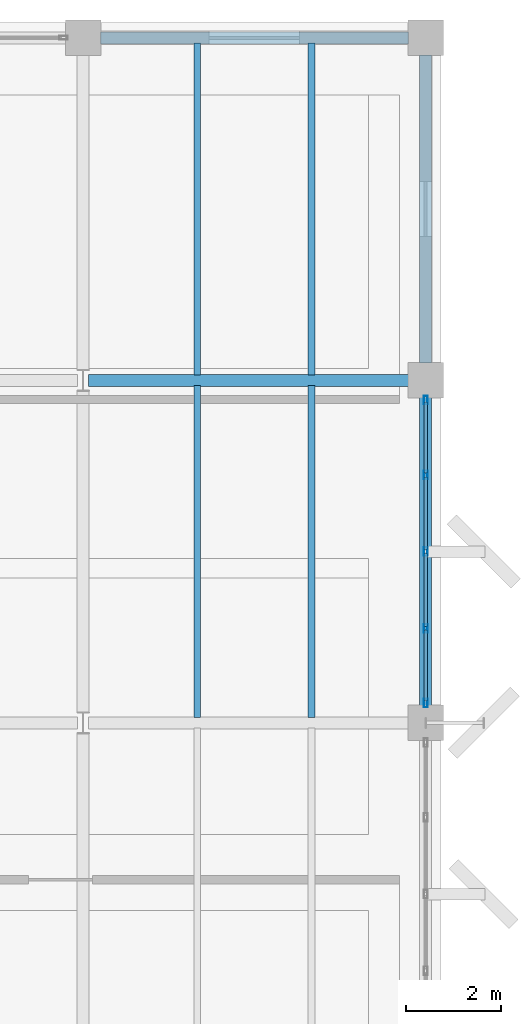
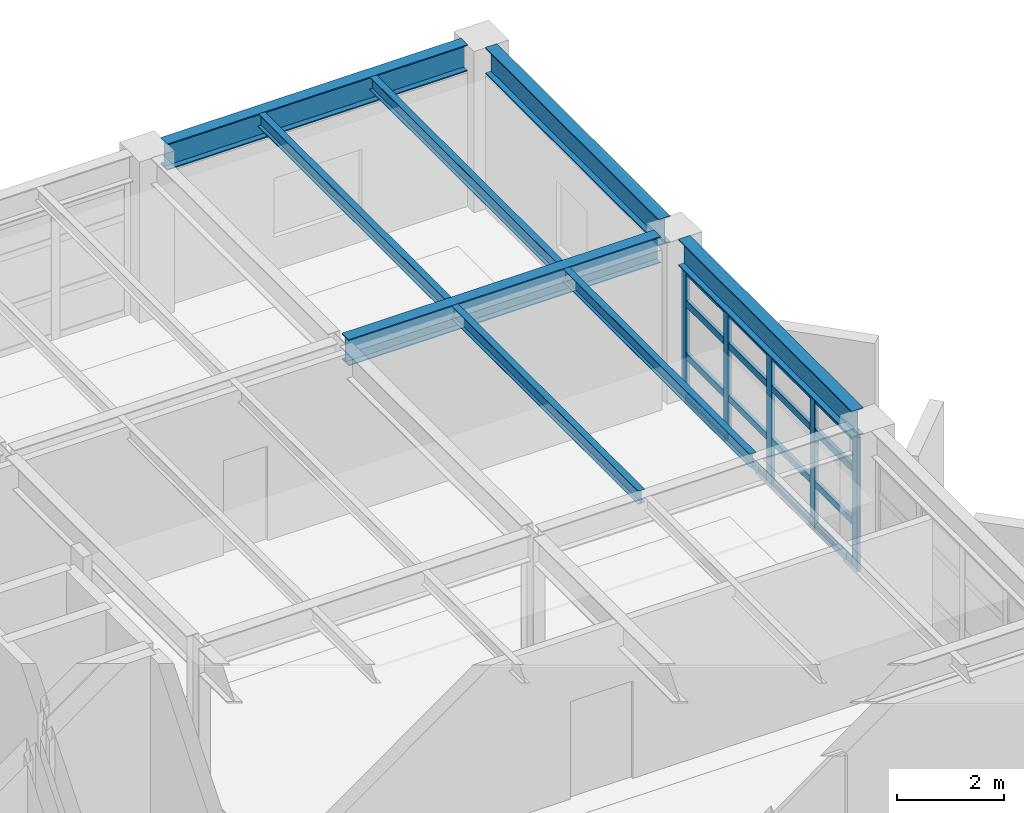
# One storey, part 13 of 24: 21 members, 8 beams, 1 element without a shape of its own.
"""IFC4 building model written with IfcOpenShell, lengths in metres."""

import ifcopenshell
import ifcopenshell.guid

model = None  # the IFC model being written
_history = None  # IfcOwnerHistory: only IFC2X3 demands one
_inside = {}  # id of a spatial element -> (the spatial element, [elements in it])
_under = {}  # id of a project, library or spatial element -> (it, [spatial elements below it])
_declared = {}  # id of a project -> (the project, [libraries it declares])
_typed = {}  # id of a type object -> (the type object, [elements of that type])
_made_of = {}  # id of a material, layer set ... -> (it, [elements and type objects made of it])


def new_model(schema):
    """Start an empty IFC model of exactly this schema.

    Asked for "IFC4X3", IfcOpenShell would pick the latest addendum, in which some entities
    have other attributes; the version numbers below select the first issue.
    IFC2X3 requires an IfcOwnerHistory on every rooted entity: one is made here for all.
    """
    global model, _history
    if schema == "IFC4X3":
        model = ifcopenshell.file(schema_version=(4, 3, 0, 0))
    else:
        model = ifcopenshell.file(schema=schema)
    _inside.clear()
    _under.clear()
    _declared.clear()
    _typed.clear()
    _made_of.clear()
    _history = None
    if model.schema == "IFC2X3":
        org = make("IfcOrganization", Name="unknown")
        user = make(
            "IfcPersonAndOrganization",
            ThePerson=make("IfcPerson", FamilyName="unknown"),
            TheOrganization=org,
        )
        app = make(
            "IfcApplication",
            ApplicationDeveloper=org,
            Version="unknown",
            ApplicationFullName="unknown",
            ApplicationIdentifier="unknown",
        )
        _history = make(
            "IfcOwnerHistory",
            OwningUser=user,
            OwningApplication=app,
            ChangeAction="ADDED",
            CreationDate=0,
        )
    return model


def make(cls, **values):
    """One entity of the class cls with the attributes given. An attribute that is None is left unset."""
    return model.create_entity(
        cls, **{name: value for name, value in values.items() if value is not None}
    )


def rooted(cls, **values):
    """An entity with a GlobalId (a new one), such as an element, a storey or a relation."""
    return make(cls, GlobalId=ifcopenshell.guid.new(), OwnerHistory=_history, **values)


def si_unit(unit_type, name, prefix=None):
    """IfcSIUnit, for example si_unit("LENGTHUNIT", "METRE", prefix="MILLI")."""
    return make("IfcSIUnit", UnitType=unit_type, Prefix=prefix, Name=name)


def assignment(units):
    """IfcUnitAssignment: the units of a project."""
    return None if units is None else make("IfcUnitAssignment", Units=units)


def point(xyz):
    """IfcCartesianPoint."""
    return None if xyz is None else make("IfcCartesianPoint", Coordinates=xyz)


def direction(xyz):
    """IfcDirection."""
    return None if xyz is None else make("IfcDirection", DirectionRatios=xyz)


def frame(location, z_axis=None, x_axis=None):
    """IfcAxis2Placement3D, a coordinate frame: its origin and axes. An axis left out is left unset."""
    return make(
        "IfcAxis2Placement3D",
        Location=point(location),
        Axis=direction(z_axis),
        RefDirection=direction(x_axis),
    )


def frame_2d(location, x_axis=None):
    """IfcAxis2Placement2D, a coordinate frame in the plane: its origin and x axis."""
    return make(
        "IfcAxis2Placement2D", Location=point(location), RefDirection=direction(x_axis)
    )


def origin():
    """The frame at (0, 0, 0) with its axes left unset."""
    return frame((0.0, 0.0, 0.0))


def origin_2d():
    """The frame at (0, 0) in the plane with its x axis left unset."""
    return frame_2d((0.0, 0.0))


def place(relative_to, where):
    """IfcLocalPlacement: puts the frame where relative to a parent placement (None: the world)."""
    return make(
        "IfcLocalPlacement", PlacementRelTo=relative_to, RelativePlacement=where
    )


def context(
    kind, dimensions, precision=None, world=None, true_north=None, identifier=None
):
    """IfcGeometricRepresentationContext, for example the 3D "Model" context."""
    return make(
        "IfcGeometricRepresentationContext",
        ContextIdentifier=identifier,
        ContextType=kind,
        CoordinateSpaceDimension=dimensions,
        Precision=precision,
        WorldCoordinateSystem=world,
        TrueNorth=true_north,
    )


def subcontext(parent, identifier, kind, view, scale=None):
    """IfcGeometricRepresentationSubContext, for example "Body" below "Model"."""
    return make(
        "IfcGeometricRepresentationSubContext",
        ContextIdentifier=identifier,
        ContextType=kind,
        ParentContext=parent,
        TargetScale=scale,
        TargetView=view,
    )


def project(units=None, contexts=None):
    """IfcProject with its units and contexts."""
    return rooted(
        "IfcProject",
        Name="project",
        RepresentationContexts=contexts,
        UnitsInContext=assignment(units),
    )


def spatial(cls, under=None, at=None, **own):
    """A site, building, storey or space (cls), placed at a placement, below another one or the project."""
    s = rooted(cls, ObjectPlacement=at, **own)
    if under is not None:
        _under.setdefault(under.id(), (under, []))[1].append(s)
    return s


def profile(cls, at=None, kind="AREA", **sizes):
    """A parametric profile (cls). Its sizes go by their IFC names, for example OverallWidth=200.0."""
    return make(cls, ProfileType=kind, Position=at, **sizes)


def hollow_rectangle(**sizes):
    """IfcRectangleHollowProfileDef."""
    return profile("IfcRectangleHollowProfileDef", **sizes)


def i_section(**sizes):
    """IfcIShapeProfileDef."""
    return profile("IfcIShapeProfileDef", **sizes)


def extrude(swept, where, along, depth):
    """IfcExtrudedAreaSolid: the profile swept, set in the frame where, extruded along a direction by depth."""
    return make(
        "IfcExtrudedAreaSolid",
        SweptArea=swept,
        Position=where,
        ExtrudedDirection=direction(along),
        Depth=depth,
    )


def shape(context_of_items, identifier, shape_type, items):
    """IfcShapeRepresentation: the items that make up one representation, for example the "Body"."""
    return make(
        "IfcShapeRepresentation",
        ContextOfItems=context_of_items,
        RepresentationIdentifier=identifier,
        RepresentationType=shape_type,
        Items=items,
    )


def material(Name=None, Category=None):
    """IfcMaterial."""
    return make("IfcMaterial", Name=Name, Category=Category)


def layer(
    of_material, thickness, ventilated=None, Name=None, Category=None, Priority=None
):
    """IfcMaterialLayer: one layer of a wall or slab, of a material (None: an air gap)."""
    return make(
        "IfcMaterialLayer",
        Material=of_material,
        LayerThickness=thickness,
        IsVentilated=ventilated,
        Name=Name,
        Category=Category,
        Priority=Priority,
    )


def layer_set(layers, Name=None):
    """IfcMaterialLayerSet."""
    return make("IfcMaterialLayerSet", MaterialLayers=layers, LayerSetName=Name)


def material_profile(
    of_material, cross_section, Name=None, Category=None, Priority=None
):
    """IfcMaterialProfile: a cross section and its material."""
    return make(
        "IfcMaterialProfile",
        Name=Name,
        Material=of_material,
        Profile=cross_section,
        Priority=Priority,
        Category=Category,
    )


def profile_set(profiles, Name=None, composite=None):
    """IfcMaterialProfileSet."""
    return make(
        "IfcMaterialProfileSet",
        Name=Name,
        MaterialProfiles=profiles,
        CompositeProfile=composite,
    )


def made_of(thing, what):
    """Note that an element or type object is made of a material, layer set ...; save() writes the relation."""
    if what is not None:
        _made_of.setdefault(what.id(), (what, []))[1].append(thing)
    return thing


def type_object(cls, material=None, **own):
    """A type object (cls), such as IfcWallType, which elements share."""
    return made_of(rooted(cls, **own), material)


def element(
    cls,
    number,
    at=None,
    inside=None,
    cuts=None,
    type_object=None,
    material=None,
    context=None,
    identifier="Body",
    shape_type=None,
    held_by="IfcProductDefinitionShape",
    body=None,
    shapes=None,
    **own,
):
    """One element of the class cls, such as IfcWall. Its Tag is "e" and its number.

    at: its placement. inside: the storey or other place that contains it. cuts: it is an
    opening in that element (IfcRelVoidsElement). A single representation is given by context,
    identifier, shape_type and body (its items); several are given by shapes. held_by: the class
    of the entity that holds the representations. save() writes the other relations.
    """
    e = rooted(cls, Tag="e%d" % number, ObjectPlacement=at, **own)
    if body is not None:
        shapes = [shape(context, identifier, shape_type, body)]
    if shapes is not None:
        e.Representation = make(held_by, Representations=shapes)
    if inside is not None:
        _inside.setdefault(inside.id(), (inside, []))[1].append(e)
    if cuts is not None:
        rooted(
            "IfcRelVoidsElement", RelatingBuildingElement=cuts, RelatedOpeningElement=e
        )
    if type_object is not None:
        _typed.setdefault(type_object.id(), (type_object, []))[1].append(e)
    return made_of(e, material)


def aggregate(whole, parts):
    """IfcRelAggregates: a whole, such as a stair, and the parts it consists of."""
    return rooted("IfcRelAggregates", RelatingObject=whole, RelatedObjects=parts)


def save(model, path):
    """Write the relations noted so far, then the file.

    IfcRelAggregates (storeys below a building ...), IfcRelContainedInSpatialStructure (elements
    in a storey), IfcRelDefinesByType, IfcRelAssociatesMaterial and IfcRelDeclares: one each for
    every whole, place, type object, material and project.
    """
    for whole, parts in _under.values():
        aggregate(whole, parts)
    for where, things in _inside.values():
        rooted(
            "IfcRelContainedInSpatialStructure",
            RelatedElements=things,
            RelatingStructure=where,
        )
    for kind, things in _typed.values():
        rooted("IfcRelDefinesByType", RelatedObjects=things, RelatingType=kind)
    for what, things in _made_of.values():
        rooted("IfcRelAssociatesMaterial", RelatedObjects=things, RelatingMaterial=what)
    for by, libraries in _declared.values():
        rooted("IfcRelDeclares", RelatingContext=by, RelatedDefinitions=libraries)
    model.write(path)


model = new_model("IFC4")

# Units and contexts
model_context = context("Model", 3, precision=1e-05, world=origin(), true_north=direction((0.0, 1.0)))
body_context = subcontext(model_context, "Body", "Model", "MODEL_VIEW")
ifc_project = project(units=[si_unit("LENGTHUNIT", "METRE"), si_unit("AREAUNIT", "SQUARE_METRE"), si_unit("VOLUMEUNIT", "CUBIC_METRE"), si_unit("PLANEANGLEUNIT", "RADIAN"), si_unit("MASSUNIT", "GRAM", prefix="KILO")], contexts=[model_context])

# Site, building, storey
site_placement = place(None, origin())
site = spatial("IfcSite", under=ifc_project, at=site_placement, CompositionType="ELEMENT")
building_placement = place(site_placement, origin())
building = spatial("IfcBuilding", under=site, at=building_placement, Name="Kandorven Conservatory and Botanical Research Centre", CompositionType="ELEMENT")
storey_placement = place(building_placement, frame((0.0, 0.0, 21.0)))
storey = spatial("IfcBuildingStorey", under=building, at=storey_placement, Name="L05", CompositionType="ELEMENT", Elevation=21.0)

# Beams
ifc_material_1 = material(Name="Steel S355 (IS 2062 E350)", Category="steel")
ifc_material_profile_1 = material_profile(ifc_material_1, i_section(OverallWidth=0.25, OverallDepth=0.60009765625, WebThickness=0.01171875, FlangeThickness=0.023681640625, at=origin_2d()))
ifc_profile_set_1 = profile_set([ifc_material_profile_1], Name="Steel S355 (IS 2062 E350)")
beam_type_1 = type_object("IfcBeamType", Name="Beam_FG-01", PredefinedType="USERDEFINED", material=ifc_profile_set_1)
beam_1_placement = place(storey_placement, frame((34.9150390625, 27.60009765625, 3.3701171875), z_axis=(1.0, 0.0, 0.0), x_axis=(0.0, 1.0, 0.0)))
element("IfcBeam", 1, at=beam_1_placement, inside=storey, type_object=beam_type_1, Name="Primary girder FG-01 TWR L05", ObjectType="GIRDER", PredefinedType="USERDEFINED", context=body_context, shape_type="SweptSolid", body=[
    extrude(i_section(OverallWidth=0.25, OverallDepth=0.60009765625, WebThickness=0.01171875, FlangeThickness=0.023681640625, at=origin_2d()), origin(), (0.0, 0.0, 1.0), 6.719970703125),
])
beam_2_placement = place(storey_placement, frame((35.1650390625, 34.800048828125, 3.3701171875), z_axis=(1.0, 0.0, 0.0), x_axis=(0.0, 1.0, 0.0)))
element("IfcBeam", 2, at=beam_2_placement, inside=storey, type_object=beam_type_1, Name="Primary girder FG-01 TWR L05", ObjectType="GIRDER", PredefinedType="USERDEFINED", context=body_context, shape_type="SweptSolid", body=[
    extrude(i_section(OverallWidth=0.25, OverallDepth=0.60009765625, WebThickness=0.01171875, FlangeThickness=0.023681640625, at=origin_2d()), origin(), (0.0, 0.0, 1.0), 6.469970703125),
])
beam_3_placement = place(storey_placement, frame((42.0, 20.764892578125, 3.3701171875), z_axis=(0.0, 1.0, 0.0), x_axis=(-1.0, 0.0, 0.0)))
element("IfcBeam", 3, at=beam_3_placement, inside=storey, type_object=beam_type_1, Name="Primary girder FG-01 TWR L05", ObjectType="GIRDER", PredefinedType="USERDEFINED", context=body_context, shape_type="SweptSolid", body=[
    extrude(i_section(OverallWidth=0.25, OverallDepth=0.60009765625, WebThickness=0.01171875, FlangeThickness=0.023681640625, at=origin_2d()), origin(), (0.0, 0.0, 1.0), 6.47021484375),
])
beam_4_placement = place(storey_placement, frame((42.0, 27.965087890625, 3.3701171875), z_axis=(0.0, 1.0, 0.0), x_axis=(-1.0, 0.0, 0.0)))
element("IfcBeam", 4, at=beam_4_placement, inside=storey, type_object=beam_type_1, Name="Primary girder FG-01 TWR L05", ObjectType="GIRDER", PredefinedType="USERDEFINED", context=body_context, shape_type="SweptSolid", body=[
    extrude(i_section(OverallWidth=0.25, OverallDepth=0.60009765625, WebThickness=0.01171875, FlangeThickness=0.023681640625, at=origin_2d()), origin(), (0.0, 0.0, 1.0), 6.469970703125),
])
ifc_material_2 = material(Name="Steel S355 (IS 2062 E350)", Category="steel")
ifc_material_profile_2 = material_profile(ifc_material_2, i_section(OverallWidth=0.139892578125, OverallDepth=0.300048828125, WebThickness=0.0078125, FlangeThickness=0.01318359375, at=origin_2d()))
ifc_profile_set_2 = profile_set([ifc_material_profile_2], Name="Steel S355 (IS 2062 E350)")
beam_type_2 = type_object("IfcBeamType", Name="Beam_SB-07", PredefinedType="BEAM", material=ifc_profile_set_2)
for number, where, z_axis, x_axis, name in (
    (5, (37.199951171875, 20.510009765625, 3.52001953125), (0.0, 1.0, 0.0), (-1.0, 0.0, 0.0), "Composite secondary beam SB-07 TWR L05"),
    (6, (39.60009765625, 20.510009765625, 3.52001953125), (0.0, 1.0, 0.0), (-1.0, 0.0, 0.0), "Composite secondary beam SB-07 TWR L05"),
    (7, (37.199951171875, 27.7099609375, 3.52001953125), (0.0, 1.0, 0.0), (-1.0, 0.0, 0.0), "Composite secondary beam SB-07 TWR L05"),
    (8, (39.60009765625, 27.7099609375, 3.52001953125), (0.0, 1.0, 0.0), (-1.0, 0.0, 0.0), "Composite secondary beam SB-07 TWR L05"),
):
    element("IfcBeam", number, at=place(storey_placement, frame(where, z_axis=z_axis, x_axis=x_axis)), inside=storey, type_object=beam_type_2, Name=name, PredefinedType="BEAM", context=body_context, shape_type="SweptSolid", body=[
        extrude(i_section(OverallWidth=0.139892578125, OverallDepth=0.300048828125, WebThickness=0.0078125, FlangeThickness=0.01318359375, at=origin_2d()), origin(), (0.0, 0.0, 1.0), 6.97998046875),
    ])

# Curtain wall, members
ifc_material_3 = material(Name="Bronze anodised thermally broken aluminium", Category="aluminium")
ifc_layer = layer(ifc_material_3, 0.179931640625)
ifc_layer_set = layer_set([ifc_layer], Name="Bronze anodised thermally broken aluminium")
curtain_wall_type = type_object("IfcCurtainWallType", Name="CW_Unitised", PredefinedType="USERDEFINED", material=ifc_layer_set)
curtain_wall_placement = place(storey_placement, origin())
curtain_wall = element("IfcCurtainWall", 9, at=curtain_wall_placement, inside=storey, type_object=curtain_wall_type, Name="Tower laboratory curtain wall CW-TWR-E-L05-3", ObjectType="UNITISED GLAZING", PredefinedType="USERDEFINED")
ifc_material_4 = material(Name="Bronze anodised thermally broken aluminium", Category="aluminium")
ifc_material_profile_3 = material_profile(ifc_material_4, hollow_rectangle(XDim=0.080078125, YDim=0.179931640625, WallThickness=0.006103515625, at=origin_2d()))
ifc_profile_set_3 = profile_set([ifc_material_profile_3], Name="Bronze anodised thermally broken aluminium")
member_type_1 = type_object("IfcMemberType", Name="CW_Mullion", PredefinedType="MULLION", material=ifc_profile_set_3)
member_1_placement = place(storey_placement, frame((42.0, 20.81494140625, 0.0), z_axis=(0.0, 0.0, 1.0), x_axis=(-1.0, 0.0, 0.0)))
member_1 = element("IfcMember", 10, at=member_1_placement, type_object=member_type_1, Name="CW-01 mullion 1", PredefinedType="MULLION", context=body_context, shape_type="SweptSolid", body=[
    extrude(hollow_rectangle(XDim=0.080078125, YDim=0.179931640625, WallThickness=0.006103515625, at=origin_2d()), origin(), (0.0, 0.0, 1.0), 3.050048828125),
])
member_2_placement = place(storey_placement, frame((42.0, 22.387451171875, 0.0), z_axis=(0.0, 0.0, 1.0), x_axis=(-1.0, 0.0, 0.0)))
member_2 = element("IfcMember", 11, at=member_2_placement, type_object=member_type_1, Name="CW-01 mullion 2", PredefinedType="MULLION", context=body_context, shape_type="SweptSolid", body=[
    extrude(hollow_rectangle(XDim=0.080078125, YDim=0.179931640625, WallThickness=0.006103515625, at=origin_2d()), origin(), (0.0, 0.0, 1.0), 3.050048828125),
])
member_3_placement = place(storey_placement, frame((42.0, 24.0, 0.0), z_axis=(0.0, 0.0, 1.0), x_axis=(-1.0, 0.0, 0.0)))
member_3 = element("IfcMember", 12, at=member_3_placement, type_object=member_type_1, Name="CW-01 mullion 3", PredefinedType="MULLION", context=body_context, shape_type="SweptSolid", body=[
    extrude(hollow_rectangle(XDim=0.080078125, YDim=0.179931640625, WallThickness=0.006103515625, at=origin_2d()), origin(), (0.0, 0.0, 1.0), 3.050048828125),
])
member_4_placement = place(storey_placement, frame((42.0, 25.612548828125, 0.0), z_axis=(0.0, 0.0, 1.0), x_axis=(-1.0, 0.0, 0.0)))
member_4 = element("IfcMember", 13, at=member_4_placement, type_object=member_type_1, Name="CW-01 mullion 4", PredefinedType="MULLION", context=body_context, shape_type="SweptSolid", body=[
    extrude(hollow_rectangle(XDim=0.080078125, YDim=0.179931640625, WallThickness=0.006103515625, at=origin_2d()), origin(), (0.0, 0.0, 1.0), 3.050048828125),
])
member_5_placement = place(storey_placement, frame((42.0, 27.18505859375, 0.0), z_axis=(0.0, 0.0, 1.0), x_axis=(-1.0, 0.0, 0.0)))
member_5 = element("IfcMember", 14, at=member_5_placement, type_object=member_type_1, Name="CW-01 mullion 5", PredefinedType="MULLION", context=body_context, shape_type="SweptSolid", body=[
    extrude(hollow_rectangle(XDim=0.080078125, YDim=0.179931640625, WallThickness=0.006103515625, at=origin_2d()), origin(), (0.0, 0.0, 1.0), 3.050048828125),
])
ifc_material_5 = material(Name="Bronze anodised thermally broken aluminium", Category="aluminium")
ifc_material_profile_4 = material_profile(ifc_material_5, hollow_rectangle(XDim=0.074951171875, YDim=0.14990234375, WallThickness=0.006103515625, at=origin_2d()))
ifc_profile_set_4 = profile_set([ifc_material_profile_4], Name="Bronze anodised thermally broken aluminium")
member_type_2 = type_object("IfcMemberType", Name="CW_Transom", PredefinedType="USERDEFINED", material=ifc_profile_set_4)
member_6_placement = place(storey_placement, frame((42.0, 20.85498046875, 0.074951171875), z_axis=(0.0, 1.0, 0.0), x_axis=(-1.0, 0.0, 0.0)))
member_6 = element("IfcMember", 15, at=member_6_placement, type_object=member_type_2, Name="CW-01 transom 1.1", ObjectType="TRANSOM", PredefinedType="USERDEFINED", context=body_context, shape_type="SweptSolid", body=[
    extrude(hollow_rectangle(XDim=0.074951171875, YDim=0.14990234375, WallThickness=0.006103515625, at=origin_2d()), origin(), (0.0, 0.0, 1.0), 1.492431640625),
])
member_7_placement = place(storey_placement, frame((42.0, 20.85498046875, 1.050048828125), z_axis=(0.0, 1.0, 0.0), x_axis=(-1.0, 0.0, 0.0)))
member_7 = element("IfcMember", 16, at=member_7_placement, type_object=member_type_2, Name="CW-01 transom 1.2", ObjectType="TRANSOM", PredefinedType="USERDEFINED", context=body_context, shape_type="SweptSolid", body=[
    extrude(hollow_rectangle(XDim=0.074951171875, YDim=0.14990234375, WallThickness=0.006103515625, at=origin_2d()), origin(), (0.0, 0.0, 1.0), 1.492431640625),
])
member_8_placement = place(storey_placement, frame((42.0, 20.85498046875, 2.25), z_axis=(0.0, 1.0, 0.0), x_axis=(-1.0, 0.0, 0.0)))
member_8 = element("IfcMember", 17, at=member_8_placement, type_object=member_type_2, Name="CW-01 transom 1.3", ObjectType="TRANSOM", PredefinedType="USERDEFINED", context=body_context, shape_type="SweptSolid", body=[
    extrude(hollow_rectangle(XDim=0.074951171875, YDim=0.14990234375, WallThickness=0.006103515625, at=origin_2d()), origin(), (0.0, 0.0, 1.0), 1.492431640625),
])
member_9_placement = place(storey_placement, frame((42.0, 20.85498046875, 2.97509765625), z_axis=(0.0, 1.0, 0.0), x_axis=(-1.0, 0.0, 0.0)))
member_9 = element("IfcMember", 18, at=member_9_placement, type_object=member_type_2, Name="CW-01 transom 1.4", ObjectType="TRANSOM", PredefinedType="USERDEFINED", context=body_context, shape_type="SweptSolid", body=[
    extrude(hollow_rectangle(XDim=0.074951171875, YDim=0.14990234375, WallThickness=0.006103515625, at=origin_2d()), origin(), (0.0, 0.0, 1.0), 1.492431640625),
])
member_10_placement = place(storey_placement, frame((42.0, 22.427490234375, 0.074951171875), z_axis=(0.0, 1.0, 0.0), x_axis=(-1.0, 0.0, 0.0)))
member_10 = element("IfcMember", 19, at=member_10_placement, type_object=member_type_2, Name="CW-01 transom 2.1", ObjectType="TRANSOM", PredefinedType="USERDEFINED", context=body_context, shape_type="SweptSolid", body=[
    extrude(hollow_rectangle(XDim=0.074951171875, YDim=0.14990234375, WallThickness=0.006103515625, at=origin_2d()), origin(), (0.0, 0.0, 1.0), 1.532470703125),
])
member_11_placement = place(storey_placement, frame((42.0, 22.427490234375, 1.050048828125), z_axis=(0.0, 1.0, 0.0), x_axis=(-1.0, 0.0, 0.0)))
member_11 = element("IfcMember", 20, at=member_11_placement, type_object=member_type_2, Name="CW-01 transom 2.2", ObjectType="TRANSOM", PredefinedType="USERDEFINED", context=body_context, shape_type="SweptSolid", body=[
    extrude(hollow_rectangle(XDim=0.074951171875, YDim=0.14990234375, WallThickness=0.006103515625, at=origin_2d()), origin(), (0.0, 0.0, 1.0), 1.532470703125),
])
member_12_placement = place(storey_placement, frame((42.0, 22.427490234375, 2.25), z_axis=(0.0, 1.0, 0.0), x_axis=(-1.0, 0.0, 0.0)))
member_12 = element("IfcMember", 21, at=member_12_placement, type_object=member_type_2, Name="CW-01 transom 2.3", ObjectType="TRANSOM", PredefinedType="USERDEFINED", context=body_context, shape_type="SweptSolid", body=[
    extrude(hollow_rectangle(XDim=0.074951171875, YDim=0.14990234375, WallThickness=0.006103515625, at=origin_2d()), origin(), (0.0, 0.0, 1.0), 1.532470703125),
])
member_13_placement = place(storey_placement, frame((42.0, 22.427490234375, 2.97509765625), z_axis=(0.0, 1.0, 0.0), x_axis=(-1.0, 0.0, 0.0)))
member_13 = element("IfcMember", 22, at=member_13_placement, type_object=member_type_2, Name="CW-01 transom 2.4", ObjectType="TRANSOM", PredefinedType="USERDEFINED", context=body_context, shape_type="SweptSolid", body=[
    extrude(hollow_rectangle(XDim=0.074951171875, YDim=0.14990234375, WallThickness=0.006103515625, at=origin_2d()), origin(), (0.0, 0.0, 1.0), 1.532470703125),
])
member_14_placement = place(storey_placement, frame((42.0, 24.0400390625, 0.074951171875), z_axis=(0.0, 1.0, 0.0), x_axis=(-1.0, 0.0, 0.0)))
member_14 = element("IfcMember", 23, at=member_14_placement, type_object=member_type_2, Name="CW-01 transom 3.1", ObjectType="TRANSOM", PredefinedType="USERDEFINED", context=body_context, shape_type="SweptSolid", body=[
    extrude(hollow_rectangle(XDim=0.074951171875, YDim=0.14990234375, WallThickness=0.006103515625, at=origin_2d()), origin(), (0.0, 0.0, 1.0), 1.532470703125),
])
member_15_placement = place(storey_placement, frame((42.0, 24.0400390625, 1.050048828125), z_axis=(0.0, 1.0, 0.0), x_axis=(-1.0, 0.0, 0.0)))
member_15 = element("IfcMember", 24, at=member_15_placement, type_object=member_type_2, Name="CW-01 transom 3.2", ObjectType="TRANSOM", PredefinedType="USERDEFINED", context=body_context, shape_type="SweptSolid", body=[
    extrude(hollow_rectangle(XDim=0.074951171875, YDim=0.14990234375, WallThickness=0.006103515625, at=origin_2d()), origin(), (0.0, 0.0, 1.0), 1.532470703125),
])
member_16_placement = place(storey_placement, frame((42.0, 24.0400390625, 2.25), z_axis=(0.0, 1.0, 0.0), x_axis=(-1.0, 0.0, 0.0)))
member_16 = element("IfcMember", 25, at=member_16_placement, type_object=member_type_2, Name="CW-01 transom 3.3", ObjectType="TRANSOM", PredefinedType="USERDEFINED", context=body_context, shape_type="SweptSolid", body=[
    extrude(hollow_rectangle(XDim=0.074951171875, YDim=0.14990234375, WallThickness=0.006103515625, at=origin_2d()), origin(), (0.0, 0.0, 1.0), 1.532470703125),
])
member_17_placement = place(storey_placement, frame((42.0, 24.0400390625, 2.97509765625), z_axis=(0.0, 1.0, 0.0), x_axis=(-1.0, 0.0, 0.0)))
member_17 = element("IfcMember", 26, at=member_17_placement, type_object=member_type_2, Name="CW-01 transom 3.4", ObjectType="TRANSOM", PredefinedType="USERDEFINED", context=body_context, shape_type="SweptSolid", body=[
    extrude(hollow_rectangle(XDim=0.074951171875, YDim=0.14990234375, WallThickness=0.006103515625, at=origin_2d()), origin(), (0.0, 0.0, 1.0), 1.532470703125),
])
member_18_placement = place(storey_placement, frame((42.0, 25.652587890625, 0.074951171875), z_axis=(0.0, 1.0, 0.0), x_axis=(-1.0, 0.0, 0.0)))
member_18 = element("IfcMember", 27, at=member_18_placement, type_object=member_type_2, Name="CW-01 transom 4.1", ObjectType="TRANSOM", PredefinedType="USERDEFINED", context=body_context, shape_type="SweptSolid", body=[
    extrude(hollow_rectangle(XDim=0.074951171875, YDim=0.14990234375, WallThickness=0.006103515625, at=origin_2d()), origin(), (0.0, 0.0, 1.0), 1.492431640625),
])
member_19_placement = place(storey_placement, frame((42.0, 25.652587890625, 1.050048828125), z_axis=(0.0, 1.0, 0.0), x_axis=(-1.0, 0.0, 0.0)))
member_19 = element("IfcMember", 28, at=member_19_placement, type_object=member_type_2, Name="CW-01 transom 4.2", ObjectType="TRANSOM", PredefinedType="USERDEFINED", context=body_context, shape_type="SweptSolid", body=[
    extrude(hollow_rectangle(XDim=0.074951171875, YDim=0.14990234375, WallThickness=0.006103515625, at=origin_2d()), origin(), (0.0, 0.0, 1.0), 1.492431640625),
])
member_20_placement = place(storey_placement, frame((42.0, 25.652587890625, 2.25), z_axis=(0.0, 1.0, 0.0), x_axis=(-1.0, 0.0, 0.0)))
member_20 = element("IfcMember", 29, at=member_20_placement, type_object=member_type_2, Name="CW-01 transom 4.3", ObjectType="TRANSOM", PredefinedType="USERDEFINED", context=body_context, shape_type="SweptSolid", body=[
    extrude(hollow_rectangle(XDim=0.074951171875, YDim=0.14990234375, WallThickness=0.006103515625, at=origin_2d()), origin(), (0.0, 0.0, 1.0), 1.492431640625),
])
member_21_placement = place(storey_placement, frame((42.0, 25.652587890625, 2.97509765625), z_axis=(0.0, 1.0, 0.0), x_axis=(-1.0, 0.0, 0.0)))
member_21 = element("IfcMember", 30, at=member_21_placement, type_object=member_type_2, Name="CW-01 transom 4.4", ObjectType="TRANSOM", PredefinedType="USERDEFINED", context=body_context, shape_type="SweptSolid", body=[
    extrude(hollow_rectangle(XDim=0.074951171875, YDim=0.14990234375, WallThickness=0.006103515625, at=origin_2d()), origin(), (0.0, 0.0, 1.0), 1.492431640625),
])
aggregate(curtain_wall, [member_1, member_2, member_3, member_4, member_5, member_6, member_7, member_8, member_9, member_10, member_11, member_12, member_13, member_14, member_15, member_16, member_17, member_18, member_19, member_20, member_21])

save(model, "model.ifc")
